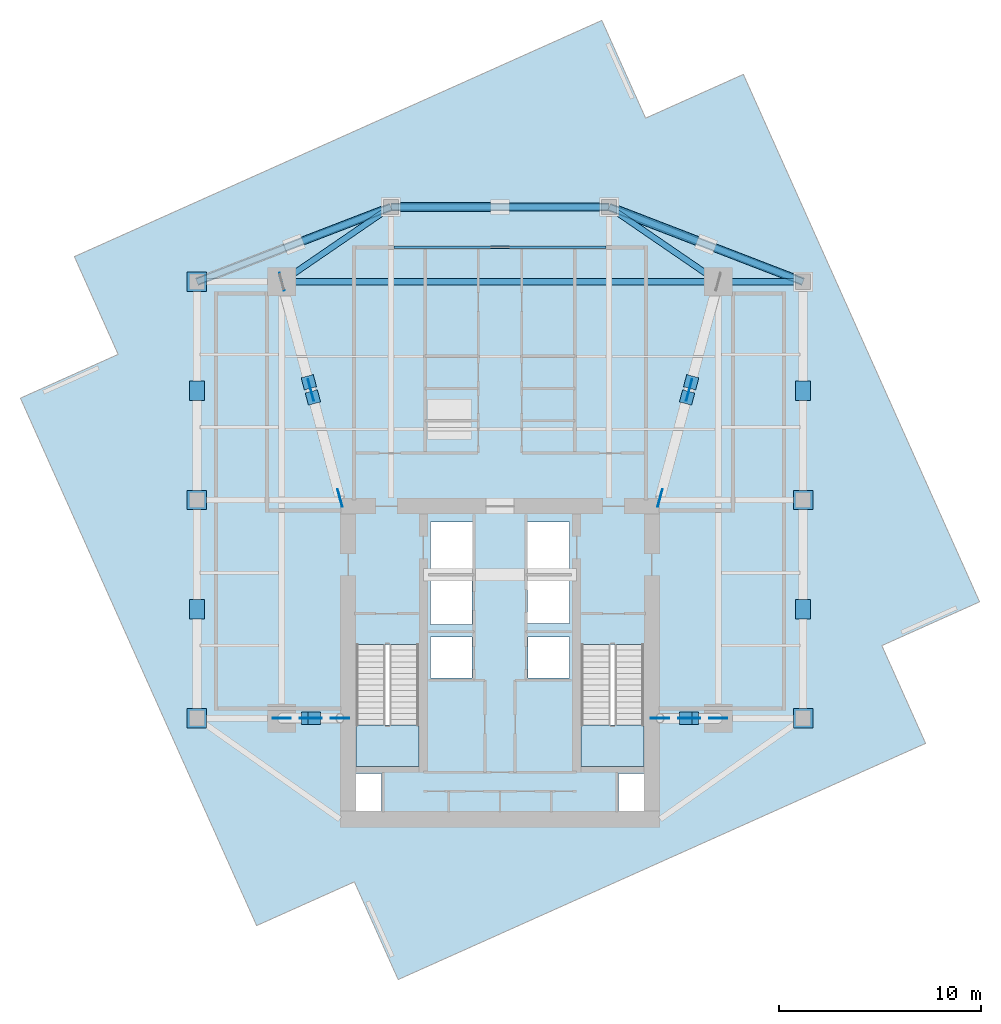
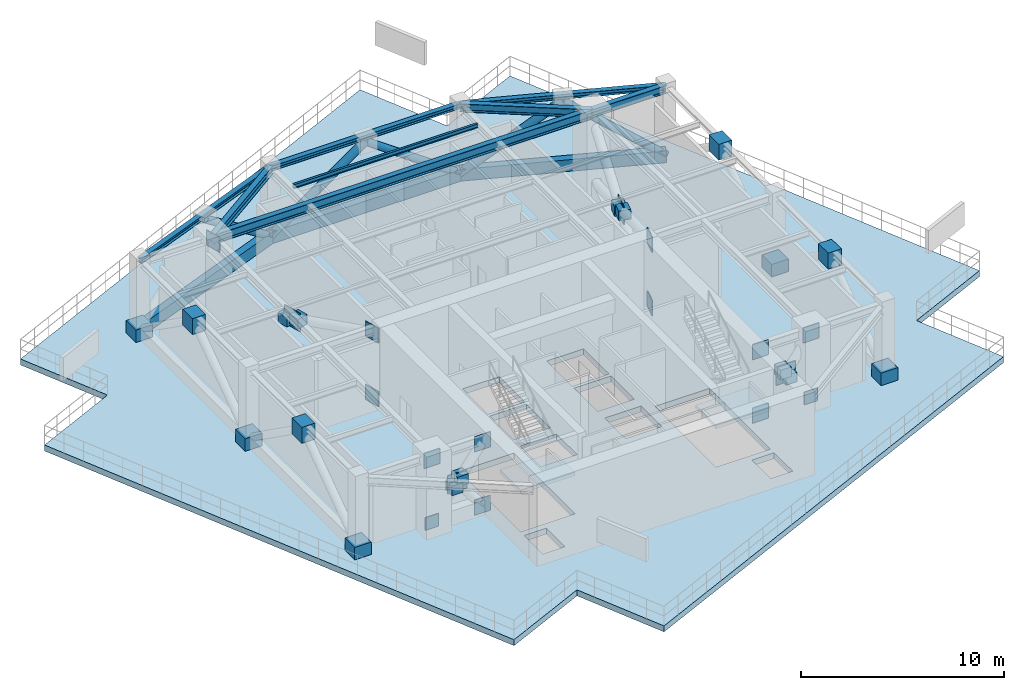
# One storey, part 2 of 8: 34 plates, 8 beams, 8 members, 3 slabs, 2 elements without a shape of their own.
"""IFC4 building model written with IfcOpenShell, lengths in metres."""

from ifc_helpers import new_model, si_unit, direction, frame, origin, origin_2d, place, context, subcontext, project, spatial, polyline, rectangle, hollow_rectangle, hollow_circle, i_section, outline, extrude, source, transform, mapped, material, layer, layer_set, material_profile, profile_set, type_object, type_shapes, element, aggregate, save


model = new_model("IFC4")

# Units and contexts
model_context = context("Model", 3, precision=1e-05, world=origin(), true_north=direction((0.0, 1.0)))
body_context = subcontext(model_context, "Body", "Model", "MODEL_VIEW")
ifc_project = project(units=[si_unit("LENGTHUNIT", "METRE"), si_unit("AREAUNIT", "SQUARE_METRE"), si_unit("VOLUMEUNIT", "CUBIC_METRE"), si_unit("PLANEANGLEUNIT", "RADIAN"), si_unit("MASSUNIT", "GRAM", prefix="KILO")], contexts=[model_context])

# Site, building, storey
site_placement = place(None, origin())
site = spatial("IfcSite", under=ifc_project, at=site_placement, CompositionType="ELEMENT")
building_placement = place(site_placement, origin())
building = spatial("IfcBuilding", under=site, at=building_placement, Name="Krantzveldt Concourse Tower", CompositionType="ELEMENT")
storey_placement = place(building_placement, frame((0.0, 0.0, 318.75)))
storey = spatial("IfcBuildingStorey", under=building, at=storey_placement, Name="L78", CompositionType="ELEMENT", Elevation=318.75)

# Members
ifc_material_1 = material(Name="Steel S355J2", Category="steel")
ifc_material_profile_1 = material_profile(ifc_material_1, hollow_rectangle(XDim=0.39990234375, YDim=0.699951171875, WallThickness=0.034912109375, at=origin_2d()), Name="Steel S355J2", Category="steel")
ifc_profile_set_1 = profile_set([ifc_material_profile_1], Name="Steel S355J2 - RHS 700x400x35")
member_type_1 = type_object("IfcMemberType", Name="MB-BC-RHS700", PredefinedType="CHORD", material=ifc_profile_set_1)
shared_shape_1 = source(origin(), body_context, "Body", "SweptSolid", [
    extrude(hollow_rectangle(XDim=0.39990234375, YDim=0.699951171875, WallThickness=0.034912109375, at=origin_2d()), origin(), (0.0, 0.0, 1.0), 10.288330078125),
])
for number, where, z_axis, x_axis, name in (
    (1, (21.0, 37.5, 0.449951171875), (0.933097690408, 0.359622997257, 0.0), (-0.359622997257, 0.933097690408, 0.0), "BT-L78-BC-03"),
    (2, (41.39990234375, 41.199951171875, 0.449951171875), (0.933097690408, -0.359622997257, 0.0), (0.359622997257, 0.933097690408, 0.0), "BT-L78-BC-05"),
):
    element("IfcMember", number, at=place(storey_placement, frame(where, z_axis=z_axis, x_axis=x_axis)), inside=storey, type_object=member_type_1, Name=name, PredefinedType="CHORD", context=body_context, shape_type="MappedRepresentation", body=[
        mapped(shared_shape_1, transform((0.0, 0.0, 0.0), x_axis=(1.0, 0.0, 0.0), y_axis=(0.0, 1.0, 0.0), z_axis=(0.0, 0.0, 1.0), scale=1.0)),
    ])
shared_shape_2 = source(origin(), body_context, "Body", "SweptSolid", [
    extrude(hollow_rectangle(XDim=0.39990234375, YDim=0.699951171875, WallThickness=0.034912109375, at=origin_2d()), origin(), (0.0, 0.0, 1.0), 10.7998046875),
])
type_shapes(member_type_1, [shared_shape_1, shared_shape_2])
member_1_placement = place(storey_placement, frame((30.60009765625, 41.199951171875, 0.449951171875), z_axis=(1.0, 0.0, 0.0), x_axis=(0.0, 1.0, 0.0)))
element("IfcMember", 3, at=member_1_placement, inside=storey, type_object=member_type_1, Name="BT-L78-BC-04", PredefinedType="CHORD", context=body_context, shape_type="MappedRepresentation", body=[
    mapped(shared_shape_2, transform((0.0, 0.0, 0.0), x_axis=(1.0, 0.0, 0.0), y_axis=(0.0, 1.0, 0.0), z_axis=(0.0, 0.0, 1.0), scale=1.0)),
])

# Beams
ifc_material_2 = material(Name="Steel S355JR", Category="steel")
ifc_material_profile_2 = material_profile(ifc_material_2, i_section(OverallWidth=0.300048828125, OverallDepth=0.489990234375, WebThickness=0.011962890625, FlangeThickness=0.02294921875, FilletRadius=0.027099609375, at=origin_2d()), Name="Steel S355JR", Category="steel")
ifc_profile_set_2 = profile_set([ifc_material_profile_2], Name="Steel S355JR - HEA 500")
beam_type_1 = type_object("IfcBeamType", Name="BM-B-HEA500", PredefinedType="BEAM", material=ifc_profile_set_2)
shared_shape_3 = source(origin(), body_context, "Body", "SweptSolid", [
    extrude(i_section(OverallWidth=0.300048828125, OverallDepth=0.489990234375, WebThickness=0.011962890625, FlangeThickness=0.02294921875, FilletRadius=0.027099609375, at=origin_2d()), origin(), (0.0, 0.0, 1.0), 4.199951171875),
])
beam_1_placement = place(storey_placement, frame((46.800048828125, 37.5, 4.47509765625), z_axis=(1.0, 0.0, 0.0), x_axis=(0.0, 1.0, 0.0)))
element("IfcBeam", 4, at=beam_1_placement, inside=storey, type_object=beam_type_1, Name="L78 Tower Girder BR-RR3", PredefinedType="BEAM", context=body_context, shape_type="MappedRepresentation", body=[
    mapped(shared_shape_3, transform((0.0, 0.0, 0.0), x_axis=(1.0, 0.0, 0.0), y_axis=(0.0, 1.0, 0.0), z_axis=(0.0, 0.0, 1.0), scale=1.0)),
])
shared_shape_4 = source(origin(), body_context, "Body", "SweptSolid", [
    extrude(i_section(OverallWidth=0.300048828125, OverallDepth=0.489990234375, WebThickness=0.011962890625, FlangeThickness=0.02294921875, FilletRadius=0.027099609375, at=origin_2d()), origin(), (0.0, 0.0, 1.0), 6.546142578125),
])
type_shapes(beam_type_1, [shared_shape_3, shared_shape_4])
for number, where, z_axis, x_axis, name in (
    (5, (25.199951171875, 37.5, 4.47509765625), (0.824942999484, 0.565215930068, 0.0), (-0.565215930068, 0.824942999484, 0.0), "L78 Tower Girder BR-RL4"),
    (6, (46.800048828125, 37.5, 4.47509765625), (-0.824942999484, 0.565215930068, 0.0), (-0.565215930068, -0.824942999484, 0.0), "L78 Tower Girder BR-RR4"),
):
    element("IfcBeam", number, at=place(storey_placement, frame(where, z_axis=z_axis, x_axis=x_axis)), inside=storey, type_object=beam_type_1, Name=name, PredefinedType="BEAM", context=body_context, shape_type="MappedRepresentation", body=[
        mapped(shared_shape_4, transform((0.0, 0.0, 0.0), x_axis=(1.0, 0.0, 0.0), y_axis=(0.0, 1.0, 0.0), z_axis=(0.0, 0.0, 1.0), scale=1.0)),
    ])
ifc_material_profile_3 = material_profile(ifc_material_2, i_section(OverallWidth=0.300048828125, OverallDepth=0.5400390625, WebThickness=0.012451171875, FlangeThickness=0.02392578125, FilletRadius=0.027099609375, at=origin_2d()), Name="Steel S355JR", Category="steel")
ifc_profile_set_3 = profile_set([ifc_material_profile_3], Name="Steel S355JR - HEA 550")
beam_type_2 = type_object("IfcBeamType", Name="BM-B-HEA550", PredefinedType="BEAM", material=ifc_profile_set_3)
shared_shape_5 = source(origin(), body_context, "Body", "SweptSolid", [
    extrude(i_section(OverallWidth=0.300048828125, OverallDepth=0.5400390625, WebThickness=0.012451171875, FlangeThickness=0.02392578125, FilletRadius=0.027099609375, at=origin_2d()), origin(), (0.0, 0.0, 1.0), 21.60009765625),
])
type_shapes(beam_type_2, [shared_shape_5])
beam_2_placement = place(storey_placement, frame((25.199951171875, 37.5, 4.449951171875), z_axis=(1.0, 0.0, 0.0), x_axis=(0.0, 1.0, 0.0)))
element("IfcBeam", 7, at=beam_2_placement, inside=storey, type_object=beam_type_2, Name="L78 Tower Girder BG-MN", PredefinedType="BEAM", context=body_context, shape_type="MappedRepresentation", body=[
    mapped(shared_shape_5, transform((0.0, 0.0, 0.0), x_axis=(1.0, 0.0, 0.0), y_axis=(0.0, 1.0, 0.0), z_axis=(0.0, 0.0, 1.0), scale=1.0)),
])
ifc_material_profile_4 = material_profile(ifc_material_2, i_section(OverallWidth=0.2900390625, OverallDepth=0.2900390625, WebThickness=0.008544921875, FlangeThickness=0.013916015625, FilletRadius=0.027099609375, at=origin_2d()), Name="Steel S355JR", Category="steel")
ifc_profile_set_4 = profile_set([ifc_material_profile_4], Name="Steel S355JR - HEA 300")
beam_type_3 = type_object("IfcBeamType", Name="BM-SP-HEA300", PredefinedType="SPANDREL", material=ifc_profile_set_4)
shared_shape_6 = source(origin(), body_context, "Body", "SweptSolid", [
    extrude(i_section(OverallWidth=0.2900390625, OverallDepth=0.2900390625, WebThickness=0.008544921875, FlangeThickness=0.013916015625, FilletRadius=0.027099609375, at=origin_2d()), origin(), (0.0, 0.0, 1.0), 10.288330078125),
])
for number, where, z_axis, x_axis, name in (
    (8, (21.0, 37.5, 4.574951171875), (0.933097690408, 0.359622997257, 0.0), (-0.359622997257, 0.933097690408, 0.0), "L78 Tower Girder SP-R03"),
    (9, (41.39990234375, 41.199951171875, 4.574951171875), (0.933097690408, -0.359622997257, 0.0), (0.359622997257, 0.933097690408, 0.0), "L78 Tower Girder SP-R05"),
):
    element("IfcBeam", number, at=place(storey_placement, frame(where, z_axis=z_axis, x_axis=x_axis)), inside=storey, type_object=beam_type_3, Name=name, PredefinedType="SPANDREL", context=body_context, shape_type="MappedRepresentation", body=[
        mapped(shared_shape_6, transform((0.0, 0.0, 0.0), x_axis=(1.0, 0.0, 0.0), y_axis=(0.0, 1.0, 0.0), z_axis=(0.0, 0.0, 1.0), scale=1.0)),
    ])
shared_shape_7 = source(origin(), body_context, "Body", "SweptSolid", [
    extrude(i_section(OverallWidth=0.2900390625, OverallDepth=0.2900390625, WebThickness=0.008544921875, FlangeThickness=0.013916015625, FilletRadius=0.027099609375, at=origin_2d()), origin(), (0.0, 0.0, 1.0), 10.7998046875),
])
type_shapes(beam_type_3, [shared_shape_6, shared_shape_7])
beam_3_placement = place(storey_placement, frame((30.60009765625, 41.199951171875, 4.574951171875), z_axis=(1.0, 0.0, 0.0), x_axis=(0.0, 1.0, 0.0)))
element("IfcBeam", 10, at=beam_3_placement, inside=storey, type_object=beam_type_3, Name="L78 Tower Girder SP-R04", PredefinedType="SPANDREL", context=body_context, shape_type="MappedRepresentation", body=[
    mapped(shared_shape_7, transform((0.0, 0.0, 0.0), x_axis=(1.0, 0.0, 0.0), y_axis=(0.0, 1.0, 0.0), z_axis=(0.0, 0.0, 1.0), scale=1.0)),
])
ifc_material_profile_5 = material_profile(ifc_material_2, i_section(OverallWidth=0.1201171875, OverallDepth=0.239990234375, WebThickness=0.006103515625, FlangeThickness=0.009765625, FilletRadius=0.014892578125, at=origin_2d()), Name="Steel S355JR", Category="steel")
ifc_profile_set_5 = profile_set([ifc_material_profile_5], Name="Steel S355JR - IPE 240")
beam_type_4 = type_object("IfcBeamType", Name="BM-LN-IPE240", PredefinedType="LINTEL", material=ifc_profile_set_5)
shared_shape_8 = source(origin(), body_context, "Body", "SweptSolid", [
    extrude(i_section(OverallWidth=0.1201171875, OverallDepth=0.239990234375, WebThickness=0.006103515625, FlangeThickness=0.009765625, FilletRadius=0.014892578125, at=origin_2d()), origin(), (0.0, 0.0, 1.0), 10.5),
])
type_shapes(beam_type_4, [shared_shape_8])
beam_4_placement = place(storey_placement, frame((30.75, 39.199951171875, 4.60009765625), z_axis=(1.0, 0.0, 0.0), x_axis=(0.0, 1.0, 0.0)))
element("IfcBeam", 11, at=beam_4_placement, inside=storey, type_object=beam_type_4, Name="L78 Secondary Floor Joist JN-C3", PredefinedType="LINTEL", context=body_context, shape_type="MappedRepresentation", body=[
    mapped(shared_shape_8, transform((0.0, 0.0, 0.0), x_axis=(1.0, 0.0, 0.0), y_axis=(0.0, 1.0, 0.0), z_axis=(0.0, 0.0, 1.0), scale=1.0)),
])

# Members
ifc_material_profile_6 = material_profile(ifc_material_1, hollow_circle(Radius=0.203125, WallThickness=0.02490234375, at=origin_2d()), Name="Steel S355J2", Category="steel")
ifc_profile_set_6 = profile_set([ifc_material_profile_6], Name="Steel S355J2 - CHS 406.4x25")
member_type_2 = type_object("IfcMemberType", Name="MB-BB-CHS406", PredefinedType="BRACE", material=ifc_profile_set_6)
shared_shape_9 = source(origin(), body_context, "Body", "SweptSolid", [
    extrude(hollow_circle(Radius=0.203125, WallThickness=0.02490234375, at=origin_2d()), origin(), (0.0, 0.0, 1.0), 6.614501953125),
])
member_2_placement = place(storey_placement, frame((41.39990234375, 41.199951171875, 0.449951171875), z_axis=(-0.816371073096, 0.0, 0.577527723155), x_axis=(0.0, -1.0, 0.0)))
element("IfcMember", 12, at=member_2_placement, inside=storey, type_object=member_type_2, Name="Brace Diagonal BT-L78-D2-04", PredefinedType="BRACE", context=body_context, shape_type="MappedRepresentation", body=[
    mapped(shared_shape_9, transform((0.0, 0.0, 0.0), x_axis=(1.0, 0.0, 0.0), y_axis=(0.0, 1.0, 0.0), z_axis=(0.0, 0.0, 1.0), scale=1.0)),
])
ifc_material_profile_7 = material_profile(ifc_material_1, hollow_circle(Radius=0.228515625, WallThickness=0.030029296875, at=origin_2d()), Name="Steel S355J2", Category="steel")
ifc_profile_set_7 = profile_set([ifc_material_profile_7], Name="Steel S355J2 - CHS 457x30")
member_type_3 = type_object("IfcMemberType", Name="MB-BB-CHS457", PredefinedType="BRACE", material=ifc_profile_set_7)
shared_shape_10 = source(origin(), body_context, "Body", "SweptSolid", [
    extrude(hollow_circle(Radius=0.228515625, WallThickness=0.030029296875, at=origin_2d()), origin(), (0.0, 0.0, 1.0), 6.407470703125),
])
member_3_placement = place(storey_placement, frame((41.39990234375, 41.199951171875, 0.449951171875), z_axis=(0.749136195008, -0.28870377649, 0.596192159264), x_axis=(0.359602336258, 0.933105653052, 0.0)))
element("IfcMember", 13, at=member_3_placement, inside=storey, type_object=member_type_3, Name="Brace Diagonal BT-L78-D1-05", PredefinedType="BRACE", context=body_context, shape_type="MappedRepresentation", body=[
    mapped(shared_shape_10, transform((0.0, 0.0, 0.0), x_axis=(1.0, 0.0, 0.0), y_axis=(0.0, 1.0, 0.0), z_axis=(0.0, 0.0, 1.0), scale=1.0)),
])
shared_shape_11 = source(origin(), body_context, "Body", "SweptSolid", [
    extrude(hollow_circle(Radius=0.203125, WallThickness=0.02490234375, at=origin_2d()), origin(), (0.0, 0.0, 1.0), 6.407470703125),
])
type_shapes(member_type_2, [shared_shape_9, shared_shape_11])
for number, where, z_axis, x_axis, name in (
    (14, (30.60009765625, 41.199951171875, 0.449951171875), (-0.749136195008, -0.28870377649, 0.596192159264), (0.359602336258, -0.933105653052, 0.0), "Brace Diagonal BT-L78-D2-03"),
    (15, (51.0, 37.5, 0.449951171875), (-0.749127953819, 0.288738702713, 0.5961856006), (-0.359643657726, -0.933089727442, 0.0), "Brace Diagonal BT-L78-D2-05"),
):
    element("IfcMember", number, at=place(storey_placement, frame(where, z_axis=z_axis, x_axis=x_axis)), inside=storey, type_object=member_type_2, Name=name, PredefinedType="BRACE", context=body_context, shape_type="MappedRepresentation", body=[
        mapped(shared_shape_11, transform((0.0, 0.0, 0.0), x_axis=(1.0, 0.0, 0.0), y_axis=(0.0, 1.0, 0.0), z_axis=(0.0, 0.0, 1.0), scale=1.0)),
    ])
shared_shape_12 = source(origin(), body_context, "Body", "SweptSolid", [
    extrude(hollow_circle(Radius=0.228515625, WallThickness=0.030029296875, at=origin_2d()), origin(), (0.0, 0.0, 1.0), 6.614501953125),
])
type_shapes(member_type_3, [shared_shape_10, shared_shape_12])
member_4_placement = place(storey_placement, frame((30.60009765625, 41.199951171875, 0.449951171875), z_axis=(0.816371073096, 0.0, 0.577527723155), x_axis=(0.0, 1.0, 0.0)))
element("IfcMember", 16, at=member_4_placement, inside=storey, type_object=member_type_3, Name="Brace Diagonal BT-L78-D1-04", PredefinedType="BRACE", context=body_context, shape_type="MappedRepresentation", body=[
    mapped(shared_shape_12, transform((0.0, 0.0, 0.0), x_axis=(1.0, 0.0, 0.0), y_axis=(0.0, 1.0, 0.0), z_axis=(0.0, 0.0, 1.0), scale=1.0)),
])

# Stair, slab
ifc_material_3 = material(Name="Precast concrete C40/50", Category="concrete")
stair_type = type_object("IfcStairType", Name="STR-CORE-DOGLEG", PredefinedType="HALF_TURN_STAIR", material=ifc_material_3)
stair_1_placement = place(storey_placement, origin())
stair_1 = element("IfcStair", 17, at=stair_1_placement, inside=storey, type_object=stair_type, Name="L78 Protected Escape Stair ST-1", PredefinedType="HALF_TURN_STAIR")
ifc_layer_1 = layer(ifc_material_3, 0.199951171875, Name="Precast concrete C40/50", Category="concrete")
ifc_layer_set_1 = layer_set([ifc_layer_1], Name="Precast concrete C40/50 (SL-LANDING-200)")
slab_type_1 = type_object("IfcSlabType", Name="SL-LANDING-200", PredefinedType="LANDING", material=ifc_layer_set_1)
slab_1_placement = place(storey_placement, frame((0.0, 0.0, 2.300048828125)))
slab_1 = element("IfcSlab", 18, at=slab_1_placement, type_object=slab_type_1, Name="ST-1 landing 1", PredefinedType="LANDING", context=body_context, shape_type="SweptSolid", body=[
    extrude(outline(polyline([(28.8798828125, 15.56005859375), (28.8798828125, 13.52001953125), (31.97998046875, 13.52001953125), (31.97998046875, 15.56005859375), (28.8798828125, 15.56005859375)])), origin(), (0.0, 0.0, 1.0), 0.199951171875),
])
aggregate(stair_1, [slab_1])

stair_2_placement = place(storey_placement, origin())
stair_2 = element("IfcStair", 19, at=stair_2_placement, inside=storey, type_object=stair_type, Name="L78 Protected Escape Stair ST-2", PredefinedType="HALF_TURN_STAIR")
slab_2_placement = place(storey_placement, frame((0.0, 0.0, 2.300048828125)))
slab_2 = element("IfcSlab", 20, at=slab_2_placement, type_object=slab_type_1, Name="ST-2 landing 1", PredefinedType="LANDING", context=body_context, shape_type="SweptSolid", body=[
    extrude(outline(polyline([(40.02001953125, 15.56005859375), (40.02001953125, 13.52001953125), (43.1201171875, 13.52001953125), (43.1201171875, 15.56005859375), (40.02001953125, 15.56005859375)])), origin(), (0.0, 0.0, 1.0), 0.199951171875),
])
aggregate(stair_2, [slab_2])

# Slab
ifc_material_4 = material(Name="Concrete C50/60", Category="concrete")
ifc_layer_2 = layer(ifc_material_4, 0.360107421875, Name="Concrete C50/60", Category="concrete")
ifc_layer_set_2 = layer_set([ifc_layer_2], Name="Concrete C50/60 (SL-SL-WND360)")
slab_type_2 = type_object("IfcSlabType", Name="SL-SL-WND360", PredefinedType="FLOOR", material=ifc_layer_set_2)
slab_3_placement = place(storey_placement, frame((0.0, 0.0, -0.360107421875)))
element("IfcSlab", 21, at=slab_3_placement, inside=storey, type_object=slab_type_2, Name="SL-L78-MAIN", PredefinedType="FLOOR", context=body_context, shape_type="SweptSolid", body=[
    extrude(outline(polyline([(43.2060546875, 45.595703125), (41.039794921875, 50.432861328125), (14.93798828125, 38.7431640625), (17.104248046875, 33.90625), (12.26708984375, 31.739990234375), (23.956787109375, 5.637939453125), (28.7939453125, 7.80419921875), (30.960205078125, 2.967041015625), (57.06201171875, 14.65673828125), (54.895751953125, 19.493896484375), (59.73291015625, 21.66015625), (48.043212890625, 47.761962890625), (43.2060546875, 45.595703125)]), holes=[polyline([(28.8798828125, 19.547607421875), (28.8798828125, 13.52001953125), (31.97998046875, 13.52001953125), (31.97998046875, 19.547607421875), (28.8798828125, 19.547607421875)]), polyline([(40.02001953125, 19.547607421875), (40.02001953125, 13.52001953125), (43.1201171875, 13.52001953125), (43.1201171875, 19.547607421875), (40.02001953125, 19.547607421875)]), polyline([(32.550048828125, 23.10009765625), (34.64990234375, 23.10009765625), (34.64990234375, 25.60009765625), (32.550048828125, 25.60009765625), (32.550048828125, 23.10009765625)]), polyline([(37.35009765625, 23.10009765625), (39.449951171875, 23.10009765625), (39.449951171875, 25.60009765625), (37.35009765625, 25.60009765625), (37.35009765625, 23.10009765625)]), polyline([(37.35009765625, 20.60009765625), (39.449951171875, 20.60009765625), (39.449951171875, 22.89990234375), (37.35009765625, 22.89990234375), (37.35009765625, 20.60009765625)]), polyline([(32.550048828125, 20.550048828125), (34.6201171875, 20.550048828125), (34.6201171875, 22.89990234375), (32.550048828125, 22.89990234375), (32.550048828125, 20.550048828125)]), polyline([(32.550048828125, 17.8798828125), (34.6201171875, 17.8798828125), (34.6201171875, 19.919921875), (32.550048828125, 19.919921875), (32.550048828125, 17.8798828125)]), polyline([(37.3798828125, 17.8798828125), (39.449951171875, 17.8798828125), (39.449951171875, 19.919921875), (37.3798828125, 19.919921875), (37.3798828125, 17.8798828125)]), polyline([(28.8798828125, 11.320068359375), (30.139892578125, 11.320068359375), (30.139892578125, 13.159912109375), (28.8798828125, 13.159912109375), (28.8798828125, 11.320068359375)]), polyline([(41.860107421875, 11.320068359375), (43.1201171875, 11.320068359375), (43.1201171875, 13.159912109375), (41.860107421875, 13.159912109375), (41.860107421875, 11.320068359375)])]), origin(), (0.0, 0.0, 1.0), 0.360107421875),
])

# Plates
ifc_layer_3 = layer(ifc_material_1, 0.0400390625, Name="Steel S355J2", Category="steel")
ifc_layer_set_3 = layer_set([ifc_layer_3], Name="Steel S355J2 (PL-GUSSET-40)")
plate_type_1 = type_object("IfcPlateType", Name="PL-GUSSET-40", PredefinedType="USERDEFINED", material=ifc_layer_set_3)
shared_shape_13 = source(origin(), body_context, "Body", "SweptSolid", [
    extrude(rectangle(XDim=0.89990234375, YDim=0.0400390625, at=origin_2d()), origin(), (0.0, 0.0, 1.0), 0.89990234375),
])
type_shapes(plate_type_1, [shared_shape_13])
for number, where, z_axis, x_axis, name in (
    (22, (28.080078125, 15.89990234375, 0.0), (0.0, 0.0, 1.0), (1.0, 0.0, 0.0), "OT-SW-L78-GP1"),
    (23, (28.080078125, 15.89990234375, 3.820068359375), (0.0, 0.0, 1.0), (1.0, 0.0, 0.0), "OT-SW-L78-GP2"),
    (24, (25.199951171875, 15.89990234375, 3.820068359375), (0.0, 0.0, 1.0), (1.0, 0.0, 0.0), "OT-SW-L78-GP3"),
    (25, (43.919921875, 15.89990234375, 0.0), (0.0, 0.0, 1.0), (1.0, 0.0, 0.0), "OT-SE-L78-GP1"),
    (26, (43.919921875, 15.89990234375, 3.820068359375), (0.0, 0.0, 1.0), (1.0, 0.0, 0.0), "OT-SE-L78-GP2"),
    (27, (46.800048828125, 15.89990234375, 3.820068359375), (0.0, 0.0, 1.0), (1.0, 0.0, 0.0), "OT-SE-L78-GP3"),
    (28, (28.080078125, 26.800048828125, 0.0), (0.0, 0.0, 1.0), (-0.259914686406, 0.965631583882, 0.0), "OT-NW-L78-GP1"),
    (29, (28.080078125, 26.800048828125, 3.820068359375), (0.0, 0.0, 1.0), (-0.259914686406, 0.965631583882, 0.0), "OT-NW-L78-GP2"),
    (30, (25.199951171875, 37.5, 3.820068359375), (0.0, 0.0, 1.0), (-0.259914686406, 0.965631583882, 0.0), "OT-NW-L78-GP3"),
    (31, (43.919921875, 26.800048828125, 0.0), (0.0, 0.0, 1.0), (0.259914686406, 0.965631583882, 0.0), "OT-NE-L78-GP1"),
    (32, (43.919921875, 26.800048828125, 3.820068359375), (0.0, 0.0, 1.0), (0.259914686406, 0.965631583882, 0.0), "OT-NE-L78-GP2"),
):
    element("IfcPlate", number, at=place(storey_placement, frame(where, z_axis=z_axis, x_axis=x_axis)), inside=storey, type_object=plate_type_1, Name=name, ObjectType="GUSSET PLATE", PredefinedType="USERDEFINED", context=body_context, shape_type="MappedRepresentation", body=[
        mapped(shared_shape_13, transform((0.0, 0.0, 0.0), x_axis=(1.0, 0.0, 0.0), y_axis=(0.0, 1.0, 0.0), z_axis=(0.0, 0.0, 1.0), scale=1.0)),
    ])
ifc_layer_4 = layer(ifc_material_1, 0.0400390625, Name="Steel S355J2", Category="steel")
ifc_layer_set_4 = layer_set([ifc_layer_4], Name="Steel S355J2 (PL-GUSSET-X40)")
plate_type_2 = type_object("IfcPlateType", Name="PL-GUSSET-X40", PredefinedType="USERDEFINED", material=ifc_layer_set_4)
shared_shape_14 = source(origin(), body_context, "Body", "SweptSolid", [
    extrude(rectangle(XDim=1.10009765625, YDim=0.0400390625, at=origin_2d()), origin(), (0.0, 0.0, 1.0), 1.10009765625),
])
type_shapes(plate_type_2, [shared_shape_14])
for number, where, z_axis, x_axis, name in (
    (33, (26.639892578125, 15.89990234375, 1.81005859375), (0.0, 0.0, 1.0), (1.0, 0.0, 0.0), "L78 Outrigger X-Brace Crossing Node Plate OT-SW"),
    (34, (45.360107421875, 15.89990234375, 1.81005859375), (0.0, 0.0, 1.0), (1.0, 0.0, 0.0), "L78 Outrigger X-Brace Crossing Node Plate OT-SE"),
    (35, (26.639892578125, 32.14990234375, 1.81005859375), (0.0, 0.0, 1.0), (-0.259914686406, 0.965631583882, 0.0), "L78 Outrigger X-Brace Crossing Node Plate OT-NW"),
    (36, (45.360107421875, 32.14990234375, 1.81005859375), (0.0, 0.0, 1.0), (0.259914686406, 0.965631583882, 0.0), "L78 Outrigger X-Brace Crossing Node Plate OT-NE"),
):
    element("IfcPlate", number, at=place(storey_placement, frame(where, z_axis=z_axis, x_axis=x_axis)), inside=storey, type_object=plate_type_2, Name=name, ObjectType="GUSSET PLATE", PredefinedType="USERDEFINED", context=body_context, shape_type="MappedRepresentation", body=[
        mapped(shared_shape_14, transform((0.0, 0.0, 0.0), x_axis=(1.0, 0.0, 0.0), y_axis=(0.0, 1.0, 0.0), z_axis=(0.0, 0.0, 1.0), scale=1.0)),
    ])
ifc_layer_5 = layer(ifc_material_1, 0.034912109375, Name="Steel S355J2", Category="steel")
ifc_layer_set_5 = layer_set([ifc_layer_5], Name="Steel S355J2 (PL-ENDCAP-35)")
plate_type_3 = type_object("IfcPlateType", Name="PL-ENDCAP-35", PredefinedType="SHEET", material=ifc_layer_set_5)
shared_shape_15 = source(origin(), body_context, "Body", "SweptSolid", [
    extrude(rectangle(XDim=0.6201171875, YDim=0.6201171875, at=origin_2d()), origin(), (0.0, 0.0, 1.0), 0.580078125),
])
for number, where, z_axis, x_axis, name in (
    (37, (26.799072265625, 15.89990234375, 2.281005859375), (0.0, 0.0, 1.0), (1.0, 0.0, 0.0), "OT-SW-L78-ECA"),
    (38, (26.48095703125, 15.89990234375, 1.85888671875), (0.0, 0.0, 1.0), (1.0, 0.0, 0.0), "OT-SW-L78-ECB"),
    (39, (45.200927734375, 15.89990234375, 2.281005859375), (0.0, 0.0, 1.0), (1.0, 0.0, 0.0), "OT-SE-L78-ECA"),
    (40, (45.51904296875, 15.89990234375, 1.85888671875), (0.0, 0.0, 1.0), (1.0, 0.0, 0.0), "OT-SE-L78-ECB"),
    (41, (26.7412109375, 31.773681640625, 2.204345703125), (0.0, 0.0, 1.0), (-0.259914686406, 0.965631583882, 0.0), "OT-NW-L78-ECA"),
    (42, (26.538818359375, 32.5263671875, 1.935546875), (0.0, 0.0, 1.0), (-0.259914686406, 0.965631583882, 0.0), "OT-NW-L78-ECB"),
    (43, (45.2587890625, 31.773681640625, 2.204345703125), (0.0, 0.0, 1.0), (0.259914686406, 0.965631583882, 0.0), "OT-NE-L78-ECA"),
    (44, (45.461181640625, 32.5263671875, 1.935546875), (0.0, 0.0, 1.0), (0.259914686406, 0.965631583882, 0.0), "OT-NE-L78-ECB"),
):
    element("IfcPlate", number, at=place(storey_placement, frame(where, z_axis=z_axis, x_axis=x_axis)), inside=storey, type_object=plate_type_3, Name=name, PredefinedType="SHEET", context=body_context, shape_type="MappedRepresentation", body=[
        mapped(shared_shape_15, transform((0.0, 0.0, 0.0), x_axis=(1.0, 0.0, 0.0), y_axis=(0.0, 1.0, 0.0), z_axis=(0.0, 0.0, 1.0), scale=1.0)),
    ])
shared_shape_16 = source(origin(), body_context, "Body", "SweptSolid", [
    extrude(rectangle(XDim=0.75, YDim=0.034912109375, at=origin_2d()), origin(), (0.0, 0.0, 1.0), 0.75),
])
type_shapes(plate_type_3, [shared_shape_15, shared_shape_16])
for number, where, z_axis, x_axis, name in (
    (45, (25.199951171875, 15.89990234375, 0.074951171875), (0.0, 0.0, 1.0), (1.0, 0.0, 0.0), "OT-SW-L78-EC"),
    (46, (46.800048828125, 15.89990234375, 0.074951171875), (0.0, 0.0, 1.0), (1.0, 0.0, 0.0), "OT-SE-L78-EC"),
):
    element("IfcPlate", number, at=place(storey_placement, frame(where, z_axis=z_axis, x_axis=x_axis)), inside=storey, type_object=plate_type_3, Name=name, PredefinedType="SHEET", context=body_context, shape_type="MappedRepresentation", body=[
        mapped(shared_shape_16, transform((0.0, 0.0, 0.0), x_axis=(1.0, 0.0, 0.0), y_axis=(0.0, 1.0, 0.0), z_axis=(0.0, 0.0, 1.0), scale=1.0)),
    ])
ifc_layer_6 = layer(ifc_material_1, 0.0419921875, Name="Steel S355J2", Category="steel")
ifc_layer_set_6 = layer_set([ifc_layer_6], Name="Steel S355J2 (PL-GUSSET-EXT40)")
plate_type_4 = type_object("IfcPlateType", Name="PL-GUSSET-EXT40", PredefinedType="USERDEFINED", material=ifc_layer_set_6)
shared_shape_17 = source(origin(), body_context, "Body", "SweptSolid", [
    extrude(rectangle(XDim=0.9599609375, YDim=0.9599609375, at=origin_2d()), origin(), (0.0, 0.0, 1.0), 0.75),
])
for number, where, z_axis, x_axis, name in (
    (47, (21.0, 15.89990234375, 0.074951171875), (0.0, 0.0, 1.0), (1.0, 0.0, 0.0), "BT-L78-GPB-01"),
    (48, (21.0, 26.699951171875, 0.074951171875), (0.0, 0.0, 1.0), (1.0, 0.0, 0.0), "BT-L78-GPB-02"),
    (49, (21.0, 37.5, 0.074951171875), (0.0, 0.0, 1.0), (1.0, 0.0, 0.0), "BT-L78-GPB-03"),
    (50, (51.0, 26.699951171875, 0.074951171875), (0.0, 0.0, 1.0), (1.0, 0.0, 0.0), "BT-L78-GPB-07"),
    (51, (51.0, 15.89990234375, 0.074951171875), (0.0, 0.0, 1.0), (1.0, 0.0, 0.0), "BT-L78-GPB-08"),
):
    element("IfcPlate", number, at=place(storey_placement, frame(where, z_axis=z_axis, x_axis=x_axis)), inside=storey, type_object=plate_type_4, Name=name, ObjectType="GUSSET PLATE", PredefinedType="USERDEFINED", context=body_context, shape_type="MappedRepresentation", body=[
        mapped(shared_shape_17, transform((0.0, 0.0, 0.0), x_axis=(1.0, 0.0, 0.0), y_axis=(0.0, 1.0, 0.0), z_axis=(0.0, 0.0, 1.0), scale=1.0)),
    ])
shared_shape_18 = source(origin(), body_context, "Body", "SweptSolid", [
    extrude(rectangle(XDim=0.9599609375, YDim=0.75, at=origin_2d()), origin(), (0.0, 0.0, 1.0), 0.9599609375),
])
type_shapes(plate_type_4, [shared_shape_17, shared_shape_18])
for number, where, z_axis, x_axis, name in (
    (52, (21.0, 21.300048828125, 3.7900390625), (0.0, 0.0, 1.0), (0.0, 1.0, 0.0), "BT-L78-GP-01"),
    (53, (21.0, 32.10009765625, 3.7900390625), (0.0, 0.0, 1.0), (0.0, 1.0, 0.0), "BT-L78-GP-02"),
    (54, (51.0, 32.10009765625, 3.7900390625), (0.0, 0.0, 1.0), (0.0, 1.0, 0.0), "BT-L78-GP-06"),
    (55, (51.0, 21.300048828125, 3.7900390625), (0.0, 0.0, 1.0), (0.0, 1.0, 0.0), "BT-L78-GP-07"),
):
    element("IfcPlate", number, at=place(storey_placement, frame(where, z_axis=z_axis, x_axis=x_axis)), inside=storey, type_object=plate_type_4, Name=name, ObjectType="GUSSET PLATE", PredefinedType="USERDEFINED", context=body_context, shape_type="MappedRepresentation", body=[
        mapped(shared_shape_18, transform((0.0, 0.0, 0.0), x_axis=(1.0, 0.0, 0.0), y_axis=(0.0, 1.0, 0.0), z_axis=(0.0, 0.0, 1.0), scale=1.0)),
    ])

save(model, "model.ifc")
